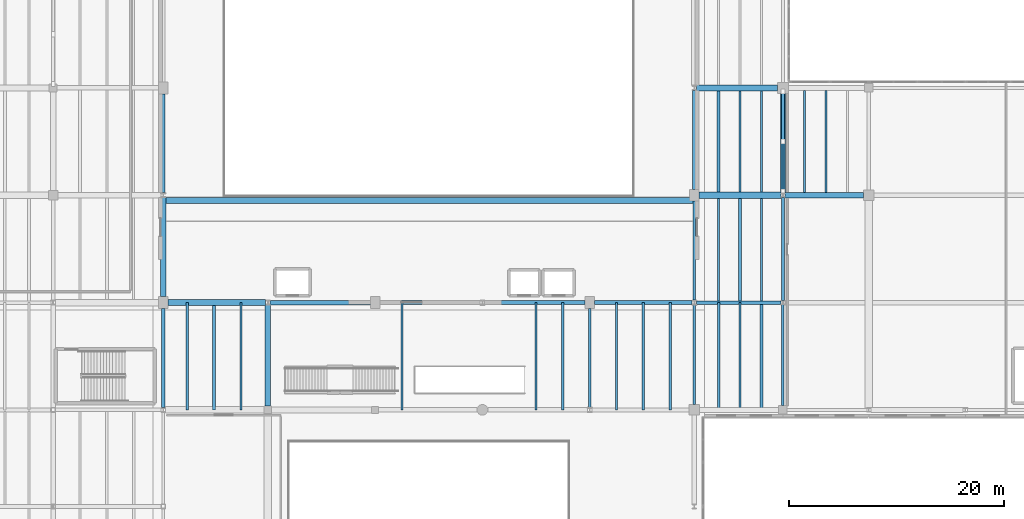
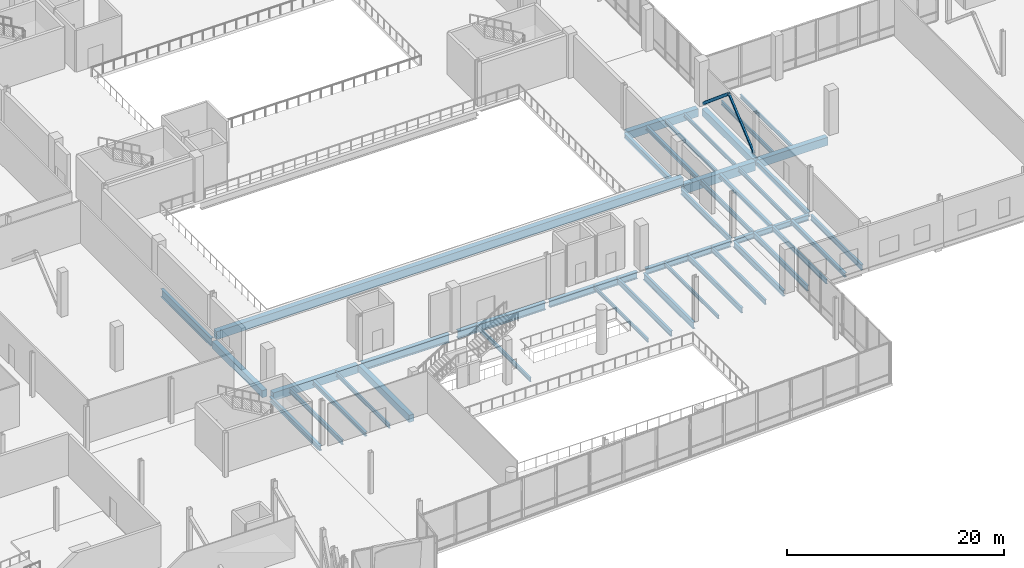
# One storey, part 26 of 73: 41 beams, 2 members.
"""IFC4 building model written with IfcOpenShell, lengths in metres."""

from ifc_helpers import new_model, si_unit, direction, frame, origin, origin_2d, place, context, subcontext, project, spatial, rectangle, hollow_rectangle, hollow_circle, i_section, extrude, material, material_profile, profile_set, type_object, element, save


model = new_model("IFC4")

# Units and contexts
model_context = context("Model", 3, precision=1e-05, world=origin(), true_north=direction((0.0, 1.0)))
body_context = subcontext(model_context, "Body", "Model", "MODEL_VIEW")
ifc_project = project(units=[si_unit("LENGTHUNIT", "METRE"), si_unit("AREAUNIT", "SQUARE_METRE"), si_unit("VOLUMEUNIT", "CUBIC_METRE"), si_unit("PLANEANGLEUNIT", "RADIAN"), si_unit("MASSUNIT", "GRAM", prefix="KILO")], contexts=[model_context])

# Site, building, storey
site_placement = place(None, origin())
site = spatial("IfcSite", under=ifc_project, at=site_placement, CompositionType="ELEMENT")
building_placement = place(site_placement, origin())
building = spatial("IfcBuilding", under=site, at=building_placement, Name="Trimount Lyric Opera House", CompositionType="ELEMENT")
storey_placement = place(building_placement, frame((0.0, 0.0, 10.0)))
storey = spatial("IfcBuildingStorey", under=building, at=storey_placement, Name="L02", CompositionType="ELEMENT", Elevation=10.0)

# Beams
ifc_material_1 = material(Name="Steel ASTM A992 Grade 50", Category="steel")
ifc_material_profile_1 = material_profile(ifc_material_1, i_section(OverallWidth=0.4189453125, OverallDepth=0.927001953125, WebThickness=0.019287109375, FlangeThickness=0.031982421875, FilletRadius=0.02392578125, at=origin_2d()), Name="W36X231")
ifc_profile_set_1 = profile_set([ifc_material_profile_1], Name="Steel ASTM A992 Grade 50")
beam_type_1 = type_object("IfcBeamType", Name="B-02", PredefinedType="BEAM", material=ifc_profile_set_1)
beam_1_placement = place(storey_placement, frame((74.2109375, 54.0, -0.78857421875), z_axis=(1.0, 0.0, 0.0), x_axis=(0.0, 1.0, 0.0)))
element("IfcBeam", 1, at=beam_1_placement, inside=storey, type_object=beam_type_1, Name="L02 girder X-0741", PredefinedType="BEAM", context=body_context, shape_type="SweptSolid", body=[
    extrude(i_section(OverallWidth=0.4189453125, OverallDepth=0.927001953125, WebThickness=0.019287109375, FlangeThickness=0.031982421875, FilletRadius=0.02392578125, at=origin_2d()), origin(), (0.0, 0.0, 1.0), 9.339111328125),
])
ifc_material_2 = material(Name="Steel ASTM A992 Grade 50", Category="steel")
ifc_material_profile_2 = material_profile(ifc_material_2, i_section(OverallWidth=0.304931640625, OverallDepth=0.9189453125, WebThickness=0.017333984375, FlangeThickness=0.02783203125, FilletRadius=0.02001953125, at=origin_2d()), Name="W36X170")
ifc_profile_set_2 = profile_set([ifc_material_profile_2], Name="Steel ASTM A992 Grade 50")
beam_type_2 = type_object("IfcBeamType", Name="B-03", PredefinedType="BEAM", material=ifc_profile_set_2)
beam_2_placement = place(storey_placement, frame((64.260009765625, 64.232421875, -0.784423828125), z_axis=(0.0, 1.0, 0.0), x_axis=(-1.0, 0.0, 0.0)))
element("IfcBeam", 2, at=beam_2_placement, inside=storey, type_object=beam_type_2, Name="L02 girder Y-0877", PredefinedType="BEAM", context=body_context, shape_type="SweptSolid", body=[
    extrude(i_section(OverallWidth=0.304931640625, OverallDepth=0.9189453125, WebThickness=0.017333984375, FlangeThickness=0.02783203125, FilletRadius=0.02001953125, at=origin_2d()), origin(), (0.0, 0.0, 1.0), 9.217529296875),
])
ifc_material_3 = material(Name="Steel ASTM A992 Grade 50", Category="steel")
ifc_material_profile_3 = material_profile(ifc_material_3, i_section(OverallWidth=0.40087890625, OverallDepth=0.861083984375, WebThickness=0.019775390625, FlangeThickness=0.032470703125, FilletRadius=0.02001953125, at=origin_2d()), Name="W33X221")
ifc_profile_set_3 = profile_set([ifc_material_profile_3], Name="Steel ASTM A992 Grade 50")
beam_type_3 = type_object("IfcBeamType", Name="B-04", PredefinedType="BEAM", material=ifc_profile_set_3)
beam_3_placement = place(storey_placement, frame((84.449951171875, 54.0, -0.755615234375), z_axis=(1.0, 0.0, 0.0), x_axis=(0.0, 1.0, 0.0)))
element("IfcBeam", 3, at=beam_3_placement, inside=storey, type_object=beam_type_3, Name="L02 girder X-0742", PredefinedType="BEAM", context=body_context, shape_type="SweptSolid", body=[
    extrude(i_section(OverallWidth=0.40087890625, OverallDepth=0.861083984375, WebThickness=0.019775390625, FlangeThickness=0.032470703125, FilletRadius=0.02001953125, at=origin_2d()), origin(), (0.0, 0.0, 1.0), 9.339111328125),
])
ifc_material_4 = material(Name="Steel ASTM A992 Grade 50", Category="steel")
ifc_material_profile_4 = material_profile(ifc_material_4, i_section(OverallWidth=0.382080078125, OverallDepth=0.779052734375, WebThickness=0.01806640625, FlangeThickness=0.0302734375, FilletRadius=0.01904296875, at=origin_2d()), Name="W30X191")
ifc_profile_set_4 = profile_set([ifc_material_profile_4], Name="Steel ASTM A992 Grade 50")
beam_type_4 = type_object("IfcBeamType", Name="B-06", PredefinedType="BEAM", material=ifc_profile_set_4)
beam_4_placement = place(storey_placement, frame((94.2109375, 54.0, -0.714599609375), z_axis=(1.0, 0.0, 0.0), x_axis=(0.0, 1.0, 0.0)))
element("IfcBeam", 4, at=beam_4_placement, inside=storey, type_object=beam_type_4, Name="L02 girder X-0743", PredefinedType="BEAM", context=body_context, shape_type="SweptSolid", body=[
    extrude(i_section(OverallWidth=0.382080078125, OverallDepth=0.779052734375, WebThickness=0.01806640625, FlangeThickness=0.0302734375, FilletRadius=0.01904296875, at=origin_2d()), origin(), (0.0, 0.0, 1.0), 9.339111328125),
])
ifc_material_5 = material(Name="Steel ASTM A992 Grade 50", Category="steel")
ifc_material_profile_5 = material_profile(ifc_material_5, i_section(OverallWidth=0.26708984375, OverallDepth=0.761962890625, WebThickness=0.014404296875, FlangeThickness=0.021484375, FilletRadius=0.01708984375, at=origin_2d()), Name="W30X116")
ifc_profile_set_5 = profile_set([ifc_material_profile_5], Name="Steel ASTM A992 Grade 50")
beam_type_5 = type_object("IfcBeamType", Name="B-07", PredefinedType="BEAM", material=ifc_profile_set_5)
beam_5_placement = place(storey_placement, frame((104.0, 44.232421875, -0.7060546875), z_axis=(0.0, 1.0, 0.0), x_axis=(-1.0, 0.0, 0.0)))
element("IfcBeam", 5, at=beam_5_placement, inside=storey, type_object=beam_type_5, Name="L02 girder Y-0885", PredefinedType="BEAM", context=body_context, shape_type="SweptSolid", body=[
    extrude(i_section(OverallWidth=0.26708984375, OverallDepth=0.761962890625, WebThickness=0.014404296875, FlangeThickness=0.021484375, FilletRadius=0.01708984375, at=origin_2d()), origin(), (0.0, 0.0, 1.0), 9.217529296875),
])
ifc_material_6 = material(Name="Steel ASTM A992 Grade 50", Category="steel")
ifc_material_profile_6 = material_profile(ifc_material_6, i_section(OverallWidth=0.35595703125, OverallDepth=0.700927734375, WebThickness=0.016845703125, FlangeThickness=0.02734375, FilletRadius=0.01806640625, at=origin_2d()), Name="W27X161")
ifc_profile_set_6 = profile_set([ifc_material_profile_6], Name="Steel ASTM A992 Grade 50")
beam_type_6 = type_object("IfcBeamType", Name="B-08", PredefinedType="BEAM", material=ifc_profile_set_6)
beam_6_placement = place(storey_placement, frame((104.449951171875, 54.0, -0.675537109375), z_axis=(1.0, 0.0, 0.0), x_axis=(0.0, 1.0, 0.0)))
element("IfcBeam", 6, at=beam_6_placement, inside=storey, type_object=beam_type_6, Name="L02 girder X-0744", PredefinedType="BEAM", context=body_context, shape_type="SweptSolid", body=[
    extrude(i_section(OverallWidth=0.35595703125, OverallDepth=0.700927734375, WebThickness=0.016845703125, FlangeThickness=0.02734375, FilletRadius=0.01806640625, at=origin_2d()), origin(), (0.0, 0.0, 1.0), 9.0791015625),
])
ifc_material_7 = material(Name="Steel ASTM A992 Grade 50", Category="steel")
ifc_material_profile_7 = material_profile(ifc_material_7, i_section(OverallWidth=0.25390625, OverallDepth=0.68798828125, WebThickness=0.01318359375, FlangeThickness=0.02099609375, FilletRadius=0.01611328125, at=origin_2d()), Name="W27X102")
ifc_profile_set_7 = profile_set([ifc_material_profile_7], Name="Steel ASTM A992 Grade 50")
beam_type_7 = type_object("IfcBeamType", Name="B-09", PredefinedType="BEAM", material=ifc_profile_set_7)
beam_7_placement = place(storey_placement, frame((113.739990234375, 44.5, -0.6689453125), z_axis=(0.0, 1.0, 0.0), x_axis=(-1.0, 0.0, 0.0)))
element("IfcBeam", 7, at=beam_7_placement, inside=storey, type_object=beam_type_7, Name="L02 girder Y-0888", PredefinedType="BEAM", context=body_context, shape_type="SweptSolid", body=[
    extrude(i_section(OverallWidth=0.25390625, OverallDepth=0.68798828125, WebThickness=0.01318359375, FlangeThickness=0.02099609375, FilletRadius=0.01611328125, at=origin_2d()), origin(), (0.0, 0.0, 1.0), 9.267578125),
])
ifc_material_8 = material(Name="Steel ASTM A992 Grade 50", Category="steel")
ifc_material_profile_8 = material_profile(ifc_material_8, i_section(OverallWidth=0.327880859375, OverallDepth=0.626953125, WebThickness=0.0166015625, FlangeThickness=0.027587890625, FilletRadius=0.01611328125, at=origin_2d()), Name="W24X146")
ifc_profile_set_8 = profile_set([ifc_material_profile_8], Name="Steel ASTM A992 Grade 50")
beam_type_8 = type_object("IfcBeamType", Name="B-10", PredefinedType="BEAM", material=ifc_profile_set_8)
beam_8_placement = place(storey_placement, frame((113.950927734375, 54.0, -0.638427734375), z_axis=(1.0, 0.0, 0.0), x_axis=(0.0, 1.0, 0.0)))
element("IfcBeam", 8, at=beam_8_placement, inside=storey, type_object=beam_type_8, Name="L02 girder X-0745", PredefinedType="BEAM", context=body_context, shape_type="SweptSolid", body=[
    extrude(i_section(OverallWidth=0.327880859375, OverallDepth=0.626953125, WebThickness=0.0166015625, FlangeThickness=0.027587890625, FilletRadius=0.01611328125, at=origin_2d()), origin(), (0.0, 0.0, 1.0), 7.862548828125),
])
ifc_material_9 = material(Name="Steel ASTM A992 Grade 50", Category="steel")
ifc_material_profile_9 = material_profile(ifc_material_9, i_section(OverallWidth=0.22998046875, OverallDepth=0.616943359375, WebThickness=0.01318359375, FlangeThickness=0.022216796875, FilletRadius=0.013916015625, at=origin_2d()), Name="W24X94")
ifc_profile_set_9 = profile_set([ifc_material_profile_9], Name="Steel ASTM A992 Grade 50")
beam_type_9 = type_object("IfcBeamType", Name="B-11", PredefinedType="BEAM", material=ifc_profile_set_9)
beam_9_placement = place(storey_placement, frame((113.739990234375, 54.232421875, -0.633544921875), z_axis=(0.0, 1.0, 0.0), x_axis=(-1.0, 0.0, 0.0)))
element("IfcBeam", 9, at=beam_9_placement, inside=storey, type_object=beam_type_9, Name="L02 girder Y-0889", PredefinedType="BEAM", context=body_context, shape_type="SweptSolid", body=[
    extrude(i_section(OverallWidth=0.22998046875, OverallDepth=0.616943359375, WebThickness=0.01318359375, FlangeThickness=0.022216796875, FilletRadius=0.013916015625, at=origin_2d()), origin(), (0.0, 0.0, 1.0), 9.217529296875),
])
beam_10_placement = place(storey_placement, frame((122.0, 44.39990234375, -0.58837890625), z_axis=(0.0, 1.0, 0.0), x_axis=(-1.0, 0.0, 0.0)))
element("IfcBeam", 10, at=beam_10_placement, inside=storey, type_object=beam_type_9, Name="L02 girder Y-0895", PredefinedType="BEAM", context=body_context, shape_type="SweptSolid", body=[
    extrude(i_section(OverallWidth=0.22998046875, OverallDepth=0.616943359375, WebThickness=0.01318359375, FlangeThickness=0.022216796875, FilletRadius=0.013916015625, at=origin_2d()), origin(), (0.0, 0.0, 1.0), 9.416015625),
])
ifc_material_10 = material(Name="Steel ASTM A992 Grade 50", Category="steel")
ifc_material_profile_10 = material_profile(ifc_material_10, i_section(OverallWidth=0.31201171875, OverallDepth=0.5458984375, WebThickness=0.013916015625, FlangeThickness=0.022216796875, FilletRadius=0.014892578125, at=origin_2d()), Name="W21X111")
ifc_profile_set_10 = profile_set([ifc_material_profile_10], Name="Steel ASTM A992 Grade 50")
beam_type_10 = type_object("IfcBeamType", Name="B-12", PredefinedType="BEAM", material=ifc_profile_set_10)
beam_11_placement = place(storey_placement, frame((64.260009765625, 44.20849609375, -0.597900390625), z_axis=(0.0, 1.0, 0.0), x_axis=(-1.0, 0.0, 0.0)))
element("IfcBeam", 11, at=beam_11_placement, inside=storey, type_object=beam_type_10, Name="L02 girder Y-0875", PredefinedType="BEAM", context=body_context, shape_type="SweptSolid", body=[
    extrude(i_section(OverallWidth=0.31201171875, OverallDepth=0.5458984375, WebThickness=0.013916015625, FlangeThickness=0.022216796875, FilletRadius=0.014892578125, at=origin_2d()), origin(), (0.0, 0.0, 1.0), 9.241455078125),
])
beam_12_placement = place(storey_placement, frame((113.739990234375, 64.550048828125, -0.597900390625), z_axis=(0.0, 1.0, 0.0), x_axis=(-1.0, 0.0, 0.0)))
element("IfcBeam", 12, at=beam_12_placement, inside=storey, type_object=beam_type_10, Name="L02 girder Y-0890", PredefinedType="BEAM", context=body_context, shape_type="SweptSolid", body=[
    extrude(i_section(OverallWidth=0.31201171875, OverallDepth=0.5458984375, WebThickness=0.013916015625, FlangeThickness=0.022216796875, FilletRadius=0.014892578125, at=origin_2d()), origin(), (0.0, 0.0, 1.0), 9.217529296875),
])
beam_13_placement = place(storey_placement, frame((122.0, 54.18408203125, -0.552978515625), z_axis=(0.0, 1.0, 0.0), x_axis=(-1.0, 0.0, 0.0)))
element("IfcBeam", 13, at=beam_13_placement, inside=storey, type_object=beam_type_10, Name="L02 girder Y-0896", PredefinedType="BEAM", context=body_context, shape_type="SweptSolid", body=[
    extrude(i_section(OverallWidth=0.31201171875, OverallDepth=0.5458984375, WebThickness=0.013916015625, FlangeThickness=0.022216796875, FilletRadius=0.014892578125, at=origin_2d()), origin(), (0.0, 0.0, 1.0), 9.622802734375),
])
ifc_material_11 = material(Name="Concrete C40/50", Category="concrete")
ifc_material_profile_11 = material_profile(ifc_material_11, rectangle(XDim=0.60009765625, YDim=1.0, at=origin_2d()), Name="RC600X1000")
ifc_profile_set_11 = profile_set([ifc_material_profile_11], Name="Concrete C40/50")
beam_type_11 = type_object("IfcBeamType", Name="B-13", PredefinedType="BEAM", material=ifc_profile_set_11)
beam_14_placement = place(storey_placement, frame((114.18994140625, 64.0, -0.824951171875), z_axis=(1.0, 0.0, 0.0), x_axis=(0.0, 1.0, 0.0)))
element("IfcBeam", 14, at=beam_14_placement, inside=storey, type_object=beam_type_11, Name="L02 girder X-0756", PredefinedType="BEAM", context=body_context, shape_type="SweptSolid", body=[
    extrude(rectangle(XDim=0.60009765625, YDim=1.0, at=origin_2d()), origin(), (0.0, 0.0, 1.0), 7.610595703125),
])
ifc_material_12 = material(Name="Concrete C40/50", Category="concrete")
ifc_material_profile_12 = material_profile(ifc_material_12, rectangle(XDim=0.550048828125, YDim=0.89990234375, at=origin_2d()), Name="RC550X900")
ifc_profile_set_12 = profile_set([ifc_material_profile_12], Name="Concrete C40/50")
beam_type_12 = type_object("IfcBeamType", Name="B-14", PredefinedType="BEAM", material=ifc_profile_set_12)
beam_15_placement = place(storey_placement, frame((64.7099609375, 54.0, -0.77490234375), z_axis=(1.0, 0.0, 0.0), x_axis=(0.0, 1.0, 0.0)))
element("IfcBeam", 15, at=beam_15_placement, inside=storey, type_object=beam_type_12, Name="L02 girder X-0740", PredefinedType="BEAM", context=body_context, shape_type="SweptSolid", body=[
    extrude(rectangle(XDim=0.550048828125, YDim=0.89990234375, at=origin_2d()), origin(), (0.0, 0.0, 1.0), 9.0791015625),
])
beam_16_placement = place(storey_placement, frame((122.199462890625, 64.0, -0.72998046875), z_axis=(1.0, 0.0, 0.0), x_axis=(0.0, 1.0, 0.0)))
element("IfcBeam", 16, at=beam_16_placement, inside=storey, type_object=beam_type_12, Name="L02 girder X-0757", PredefinedType="BEAM", context=body_context, shape_type="SweptSolid", body=[
    extrude(rectangle(XDim=0.550048828125, YDim=0.89990234375, at=origin_2d()), origin(), (0.0, 0.0, 1.0), 7.300537109375),
])
beam_17_placement = place(storey_placement, frame((113.950927734375, 74.0, -0.77490234375), z_axis=(1.0, 0.0, 0.0), x_axis=(0.0, 1.0, 0.0)))
element("IfcBeam", 17, at=beam_17_placement, inside=storey, type_object=beam_type_12, Name="L02 girder X-0768", PredefinedType="BEAM", context=body_context, shape_type="SweptSolid", body=[
    extrude(rectangle(XDim=0.550048828125, YDim=0.89990234375, at=origin_2d()), origin(), (0.0, 0.0, 1.0), 7.549072265625),
])
ifc_material_13 = material(Name="Concrete C40/50", Category="concrete")
ifc_material_profile_13 = material_profile(ifc_material_13, rectangle(XDim=0.5, YDim=0.800048828125, at=origin_2d()), Name="RC500X800")
ifc_profile_set_13 = profile_set([ifc_material_profile_13], Name="Concrete C40/50")
beam_type_13 = type_object("IfcBeamType", Name="B-15", PredefinedType="BEAM", material=ifc_profile_set_13)
beam_18_placement = place(storey_placement, frame((64.260009765625, 54.550048828125, -0.72509765625), z_axis=(0.0, 1.0, 0.0), x_axis=(-1.0, 0.0, 0.0)))
element("IfcBeam", 18, at=beam_18_placement, inside=storey, type_object=beam_type_13, Name="L02 girder Y-0876", PredefinedType="BEAM", context=body_context, shape_type="SweptSolid", body=[
    extrude(rectangle(XDim=0.5, YDim=0.800048828125, at=origin_2d()), origin(), (0.0, 0.0, 1.0), 9.217529296875),
])
beam_19_placement = place(storey_placement, frame((74.0, 44.35009765625, -0.72509765625), z_axis=(0.0, 1.0, 0.0), x_axis=(-1.0, 0.0, 0.0)))
element("IfcBeam", 19, at=beam_19_placement, inside=storey, type_object=beam_type_13, Name="L02 girder Y-0883", PredefinedType="BEAM", context=body_context, shape_type="SweptSolid", body=[
    extrude(rectangle(XDim=0.5, YDim=0.800048828125, at=origin_2d()), origin(), (0.0, 0.0, 1.0), 9.41748046875),
])
beam_20_placement = place(storey_placement, frame((122.0, 64.193115234375, -0.679931640625), z_axis=(0.0, 1.0, 0.0), x_axis=(-1.0, 0.0, 0.0)))
element("IfcBeam", 20, at=beam_20_placement, inside=storey, type_object=beam_type_13, Name="L02 girder Y-0897", PredefinedType="BEAM", context=body_context, shape_type="SweptSolid", body=[
    extrude(rectangle(XDim=0.5, YDim=0.800048828125, at=origin_2d()), origin(), (0.0, 0.0, 1.0), 9.306884765625),
])

# Members
ifc_material_14 = material(Name="Steel ASTM A500 Grade C", Category="steel")
ifc_material_profile_14 = material_profile(ifc_material_14, hollow_rectangle(XDim=0.203125, YDim=0.203125, WallThickness=0.0087890625, InnerFilletRadius=0.00927734375, OuterFilletRadius=0.01806640625, at=origin_2d()), Name="HSS203.2X203.2X9.5")
ifc_profile_set_14 = profile_set([ifc_material_profile_14], Name="Steel ASTM A500 Grade C")
member_type_1 = type_object("IfcMemberType", Name="BR-04", PredefinedType="BRACE", material=ifc_profile_set_14)
member_1_placement = place(storey_placement, frame((122.0, 64.35009765625, 0.14990234375), z_axis=(0.0, 0.766173014074, 0.642634353661), x_axis=(-1.0, 0.0, 0.0)))
element("IfcMember", 21, at=member_1_placement, inside=storey, type_object=member_type_1, Name="L02 lateral chevron brace BF-3.1", PredefinedType="BRACE", context=body_context, shape_type="SweptSolid", body=[
    extrude(hollow_rectangle(XDim=0.203125, YDim=0.203125, WallThickness=0.0087890625, InnerFilletRadius=0.00927734375, OuterFilletRadius=0.01806640625, at=origin_2d()), origin(), (0.0, 0.0, 1.0), 6.069091796875),
])
ifc_material_15 = material(Name="Steel ASTM A500 Grade C", Category="steel")
ifc_material_profile_15 = material_profile(ifc_material_15, hollow_circle(Radius=0.161865234375, WallThickness=0.01171875, at=origin_2d()), Name="HSS323.9X12.7")
ifc_profile_set_15 = profile_set([ifc_material_profile_15], Name="Steel ASTM A500 Grade C")
member_type_2 = type_object("IfcMemberType", Name="BR-05", PredefinedType="BRACE", material=ifc_profile_set_15)
member_2_placement = place(storey_placement, frame((122.0, 73.64990234375, 0.14990234375), z_axis=(0.0, -0.766173014074, 0.642634353661), x_axis=(1.0, 0.0, 0.0)))
element("IfcMember", 22, at=member_2_placement, inside=storey, type_object=member_type_2, Name="L02 lateral chevron brace BF-3.2", PredefinedType="BRACE", context=body_context, shape_type="SweptSolid", body=[
    extrude(hollow_circle(Radius=0.161865234375, WallThickness=0.01171875, at=origin_2d()), origin(), (0.0, 0.0, 1.0), 6.069091796875),
])

# Beams
ifc_material_16 = material(Name="Steel ASTM A992 Grade 50", Category="steel")
ifc_material_profile_16 = material_profile(ifc_material_16, i_section(OverallWidth=0.22802734375, OverallDepth=0.60205078125, WebThickness=0.010498046875, FlangeThickness=0.014892578125, FilletRadius=0.012939453125, at=origin_2d()), Name="W24X68")
ifc_profile_set_16 = profile_set([ifc_material_profile_16], Name="Steel ASTM A992 Grade 50")
beam_type_14 = type_object("IfcBeamType", Name="J-01", PredefinedType="BEAM", material=ifc_profile_set_16)
for number, where, z_axis, x_axis, name in (
    (23, (101.5, 44.011962890625, -0.6259765625), (0.0, 1.0, 0.0), (-1.0, 0.0, 0.0), "L02 composite floor joist 0901"),
    (24, (109.0, 44.011962890625, -0.6259765625), (0.0, 1.0, 0.0), (-1.0, 0.0, 0.0), "L02 composite floor joist 0903"),
    (25, (116.0, 44.011962890625, -0.5810546875), (0.0, 1.0, 0.0), (-1.0, 0.0, 0.0), "L02 composite floor joist 0905"),
):
    element("IfcBeam", number, at=place(storey_placement, frame(where, z_axis=z_axis, x_axis=x_axis)), inside=storey, type_object=beam_type_14, Name=name, PredefinedType="BEAM", context=body_context, shape_type="SweptSolid", body=[
        extrude(i_section(OverallWidth=0.22802734375, OverallDepth=0.60205078125, WebThickness=0.010498046875, FlangeThickness=0.014892578125, FilletRadius=0.012939453125, at=origin_2d()), origin(), (0.0, 0.0, 1.0), 9.97607421875),
    ])
ifc_material_17 = material(Name="Steel ASTM A992 Grade 50", Category="steel")
ifc_material_profile_17 = material_profile(ifc_material_17, i_section(OverallWidth=0.2099609375, OverallDepth=0.532958984375, WebThickness=0.01025390625, FlangeThickness=0.015625, FilletRadius=0.012939453125, at=origin_2d()), Name="W21X62")
ifc_profile_set_17 = profile_set([ifc_material_profile_17], Name="Steel ASTM A992 Grade 50")
beam_type_15 = type_object("IfcBeamType", Name="J-02", PredefinedType="BEAM", material=ifc_profile_set_17)
for number, where, z_axis, x_axis, name in (
    (26, (66.5, 44.011962890625, -0.591552734375), (0.0, 1.0, 0.0), (-1.0, 0.0, 0.0), "L02 composite floor joist 0896"),
    (27, (111.5, 44.011962890625, -0.591552734375), (0.0, 1.0, 0.0), (-1.0, 0.0, 0.0), "L02 composite floor joist 0904"),
    (28, (118.0, 44.011962890625, -0.54638671875), (0.0, 1.0, 0.0), (-1.0, 0.0, 0.0), "L02 composite floor joist 0906"),
):
    element("IfcBeam", number, at=place(storey_placement, frame(where, z_axis=z_axis, x_axis=x_axis)), inside=storey, type_object=beam_type_15, Name=name, PredefinedType="BEAM", context=body_context, shape_type="SweptSolid", body=[
        extrude(i_section(OverallWidth=0.2099609375, OverallDepth=0.532958984375, WebThickness=0.01025390625, FlangeThickness=0.015625, FilletRadius=0.012939453125, at=origin_2d()), origin(), (0.0, 0.0, 1.0), 9.97607421875),
    ])
beam_21_placement = place(storey_placement, frame((116.0, 54.159912109375, -0.54638671875), z_axis=(0.0, 1.0, 0.0), x_axis=(-1.0, 0.0, 0.0)))
element("IfcBeam", 29, at=beam_21_placement, inside=storey, type_object=beam_type_15, Name="L02 composite floor joist 0908", PredefinedType="BEAM", context=body_context, shape_type="SweptSolid", body=[
    extrude(i_section(OverallWidth=0.2099609375, OverallDepth=0.532958984375, WebThickness=0.01025390625, FlangeThickness=0.015625, FilletRadius=0.012939453125, at=origin_2d()), origin(), (0.0, 0.0, 1.0), 9.544189453125),
])
ifc_material_18 = material(Name="Steel ASTM A992 Grade 50", Category="steel")
ifc_material_profile_18 = material_profile(ifc_material_18, i_section(OverallWidth=0.281982421875, OverallDepth=0.467041015625, WebThickness=0.01220703125, FlangeThickness=0.01953125, FilletRadius=0.012939453125, at=origin_2d()), Name="W18X86")
ifc_profile_set_18 = profile_set([ifc_material_profile_18], Name="Steel ASTM A992 Grade 50")
beam_type_16 = type_object("IfcBeamType", Name="J-03", PredefinedType="BEAM", material=ifc_profile_set_18)
for number, where, z_axis, x_axis, name in (
    (30, (69.0, 44.011962890625, -0.55859375), (0.0, 1.0, 0.0), (-1.0, 0.0, 0.0), "L02 composite floor joist 0897"),
    (31, (120.0, 44.011962890625, -0.513427734375), (0.0, 1.0, 0.0), (-1.0, 0.0, 0.0), "L02 composite floor joist 0907"),
):
    element("IfcBeam", number, at=place(storey_placement, frame(where, z_axis=z_axis, x_axis=x_axis)), inside=storey, type_object=beam_type_16, Name=name, PredefinedType="BEAM", context=body_context, shape_type="SweptSolid", body=[
        extrude(i_section(OverallWidth=0.281982421875, OverallDepth=0.467041015625, WebThickness=0.01220703125, FlangeThickness=0.01953125, FilletRadius=0.012939453125, at=origin_2d()), origin(), (0.0, 0.0, 1.0), 9.97607421875),
    ])
beam_22_placement = place(storey_placement, frame((118.0, 54.159912109375, -0.513427734375), z_axis=(0.0, 1.0, 0.0), x_axis=(-1.0, 0.0, 0.0)))
element("IfcBeam", 32, at=beam_22_placement, inside=storey, type_object=beam_type_16, Name="L02 composite floor joist 0909", PredefinedType="BEAM", context=body_context, shape_type="SweptSolid", body=[
    extrude(i_section(OverallWidth=0.281982421875, OverallDepth=0.467041015625, WebThickness=0.01220703125, FlangeThickness=0.01953125, FilletRadius=0.012939453125, at=origin_2d()), origin(), (0.0, 0.0, 1.0), 9.544189453125),
])
beam_23_placement = place(storey_placement, frame((116.0, 64.2958984375, -0.513427734375), z_axis=(0.0, 1.0, 0.0), x_axis=(-1.0, 0.0, 0.0)))
element("IfcBeam", 33, at=beam_23_placement, inside=storey, type_object=beam_type_16, Name="L02 composite floor joist 0911", PredefinedType="BEAM", context=body_context, shape_type="SweptSolid", body=[
    extrude(i_section(OverallWidth=0.281982421875, OverallDepth=0.467041015625, WebThickness=0.01220703125, FlangeThickness=0.01953125, FilletRadius=0.012939453125, at=origin_2d()), origin(), (0.0, 0.0, 1.0), 9.43310546875),
])
ifc_material_19 = material(Name="Steel ASTM A992 Grade 50", Category="steel")
ifc_material_profile_19 = material_profile(ifc_material_19, i_section(OverallWidth=0.19091796875, OverallDepth=0.45703125, WebThickness=0.009033203125, FlangeThickness=0.014404296875, FilletRadius=0.010986328125, at=origin_2d()), Name="W18X50")
ifc_profile_set_19 = profile_set([ifc_material_profile_19], Name="Steel ASTM A992 Grade 50")
beam_type_17 = type_object("IfcBeamType", Name="J-04", PredefinedType="BEAM", material=ifc_profile_set_19)
for number, where, z_axis, x_axis, name in (
    (34, (71.5, 44.011962890625, -0.553466796875), (0.0, 1.0, 0.0), (-1.0, 0.0, 0.0), "L02 composite floor joist 0898"),
    (35, (86.5, 44.011962890625, -0.553466796875), (0.0, 1.0, 0.0), (-1.0, 0.0, 0.0), "L02 composite floor joist 0899"),
):
    element("IfcBeam", number, at=place(storey_placement, frame(where, z_axis=z_axis, x_axis=x_axis)), inside=storey, type_object=beam_type_17, Name=name, PredefinedType="BEAM", context=body_context, shape_type="SweptSolid", body=[
        extrude(i_section(OverallWidth=0.19091796875, OverallDepth=0.45703125, WebThickness=0.009033203125, FlangeThickness=0.014404296875, FilletRadius=0.010986328125, at=origin_2d()), origin(), (0.0, 0.0, 1.0), 9.97607421875),
    ])
beam_24_placement = place(storey_placement, frame((120.0, 54.159912109375, -0.508544921875), z_axis=(0.0, 1.0, 0.0), x_axis=(-1.0, 0.0, 0.0)))
element("IfcBeam", 36, at=beam_24_placement, inside=storey, type_object=beam_type_17, Name="L02 composite floor joist 0910", PredefinedType="BEAM", context=body_context, shape_type="SweptSolid", body=[
    extrude(i_section(OverallWidth=0.19091796875, OverallDepth=0.45703125, WebThickness=0.009033203125, FlangeThickness=0.014404296875, FilletRadius=0.010986328125, at=origin_2d()), origin(), (0.0, 0.0, 1.0), 9.544189453125),
])
beam_25_placement = place(storey_placement, frame((118.0, 64.2958984375, -0.508544921875), z_axis=(0.0, 1.0, 0.0), x_axis=(-1.0, 0.0, 0.0)))
element("IfcBeam", 37, at=beam_25_placement, inside=storey, type_object=beam_type_17, Name="L02 composite floor joist 0912", PredefinedType="BEAM", context=body_context, shape_type="SweptSolid", body=[
    extrude(i_section(OverallWidth=0.19091796875, OverallDepth=0.45703125, WebThickness=0.009033203125, FlangeThickness=0.014404296875, FilletRadius=0.010986328125, at=origin_2d()), origin(), (0.0, 0.0, 1.0), 9.43310546875),
])
beam_26_placement = place(storey_placement, frame((124.0, 64.27099609375, -0.508544921875), z_axis=(0.0, 1.0, 0.0), x_axis=(-1.0, 0.0, 0.0)))
element("IfcBeam", 38, at=beam_26_placement, inside=storey, type_object=beam_type_17, Name="L02 composite floor joist 0923", PredefinedType="BEAM", context=body_context, shape_type="SweptSolid", body=[
    extrude(i_section(OverallWidth=0.19091796875, OverallDepth=0.45703125, WebThickness=0.009033203125, FlangeThickness=0.014404296875, FilletRadius=0.010986328125, at=origin_2d()), origin(), (0.0, 0.0, 1.0), 9.508056640625),
])
ifc_material_20 = material(Name="Steel ASTM A992 Grade 50", Category="steel")
ifc_material_profile_20 = material_profile(ifc_material_20, i_section(OverallWidth=0.180908203125, OverallDepth=0.4169921875, WebThickness=0.010986328125, FlangeThickness=0.018310546875, FilletRadius=0.010986328125, at=origin_2d()), Name="W16X57")
ifc_profile_set_20 = profile_set([ifc_material_profile_20], Name="Steel ASTM A992 Grade 50")
beam_type_18 = type_object("IfcBeamType", Name="J-05", PredefinedType="BEAM", material=ifc_profile_set_20)
beam_27_placement = place(storey_placement, frame((120.0, 64.2958984375, -0.488525390625), z_axis=(0.0, 1.0, 0.0), x_axis=(-1.0, 0.0, 0.0)))
element("IfcBeam", 39, at=beam_27_placement, inside=storey, type_object=beam_type_18, Name="L02 composite floor joist 0913", PredefinedType="BEAM", context=body_context, shape_type="SweptSolid", body=[
    extrude(i_section(OverallWidth=0.180908203125, OverallDepth=0.4169921875, WebThickness=0.010986328125, FlangeThickness=0.018310546875, FilletRadius=0.010986328125, at=origin_2d()), origin(), (0.0, 0.0, 1.0), 9.43310546875),
])
beam_28_placement = place(storey_placement, frame((126.0, 64.27099609375, -0.488525390625), z_axis=(0.0, 1.0, 0.0), x_axis=(-1.0, 0.0, 0.0)))
element("IfcBeam", 40, at=beam_28_placement, inside=storey, type_object=beam_type_18, Name="L02 composite floor joist 0924", PredefinedType="BEAM", context=body_context, shape_type="SweptSolid", body=[
    extrude(i_section(OverallWidth=0.180908203125, OverallDepth=0.4169921875, WebThickness=0.010986328125, FlangeThickness=0.018310546875, FilletRadius=0.010986328125, at=origin_2d()), origin(), (0.0, 0.0, 1.0), 9.508056640625),
])
ifc_material_21 = material(Name="Steel ASTM A992 Grade 50", Category="steel")
ifc_material_profile_21 = material_profile(ifc_material_21, i_section(OverallWidth=0.177978515625, OverallDepth=0.404052734375, WebThickness=0.007568359375, FlangeThickness=0.010986328125, FilletRadius=0.010009765625, at=origin_2d()), Name="W16X36")
ifc_profile_set_21 = profile_set([ifc_material_profile_21], Name="Steel ASTM A992 Grade 50")
beam_type_19 = type_object("IfcBeamType", Name="J-06", PredefinedType="BEAM", material=ifc_profile_set_21)
for number, where, z_axis, x_axis, name in (
    (41, (99.0, 44.011962890625, -0.527099609375), (0.0, 1.0, 0.0), (-1.0, 0.0, 0.0), "L02 composite floor joist 0900"),
    (42, (106.5, 44.011962890625, -0.527099609375), (0.0, 1.0, 0.0), (-1.0, 0.0, 0.0), "L02 composite floor joist 0902"),
):
    element("IfcBeam", number, at=place(storey_placement, frame(where, z_axis=z_axis, x_axis=x_axis)), inside=storey, type_object=beam_type_19, Name=name, PredefinedType="BEAM", context=body_context, shape_type="SweptSolid", body=[
        extrude(i_section(OverallWidth=0.177978515625, OverallDepth=0.404052734375, WebThickness=0.007568359375, FlangeThickness=0.010986328125, FilletRadius=0.010009765625, at=origin_2d()), origin(), (0.0, 0.0, 1.0), 9.97607421875),
    ])
ifc_material_22 = material(Name="Concrete C40/50", Category="concrete")
ifc_material_profile_22 = material_profile(ifc_material_22, rectangle(XDim=0.550048828125, YDim=0.89990234375, at=origin_2d()), Name="RC550X900")
ifc_profile_set_22 = profile_set([ifc_material_profile_22], Name="Concrete C40/50")
beam_type_20 = type_object("IfcBeamType", Name="RK-02", PredefinedType="USERDEFINED", material=ifc_profile_set_22)
beam_29_placement = place(storey_placement, frame((64.179931640625, 63.5, 0.55078125), z_axis=(1.0, 0.0, 0.0), x_axis=(0.0, 1.0, 0.0)))
element("IfcBeam", 43, at=beam_29_placement, inside=storey, type_object=beam_type_20, Name="Dress Circle Front Tier raker 1", ObjectType="RAKER", PredefinedType="USERDEFINED", context=body_context, shape_type="SweptSolid", body=[
    extrude(rectangle(XDim=0.550048828125, YDim=0.89990234375, at=origin_2d()), origin(), (0.0, 0.0, 1.0), 49.64013671875),
])

save(model, "model.ifc")
